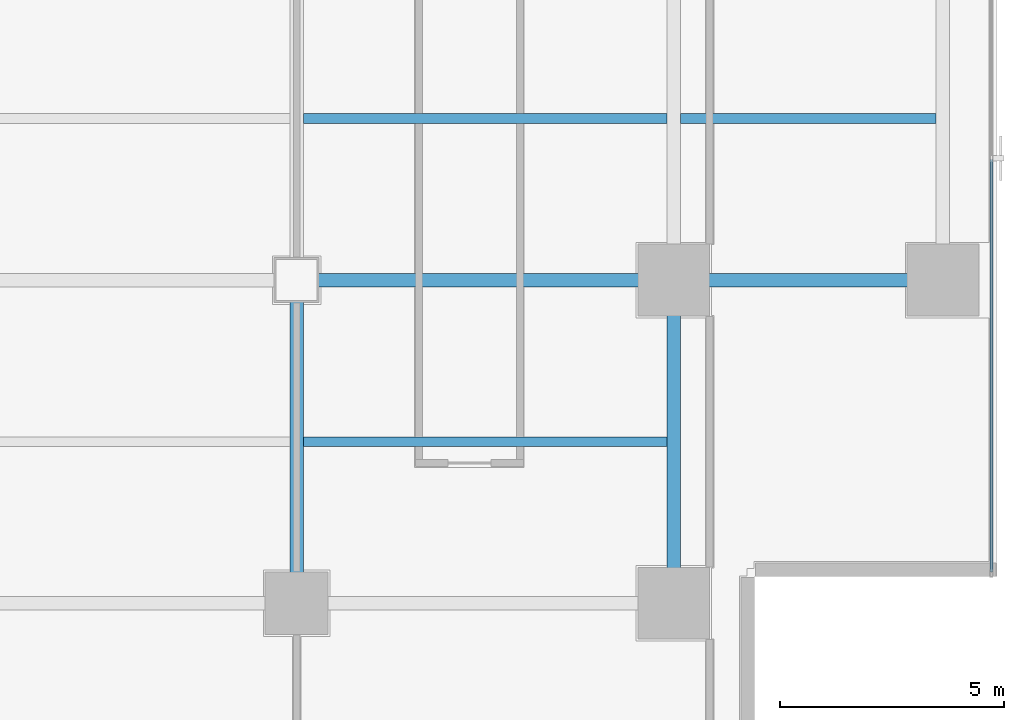
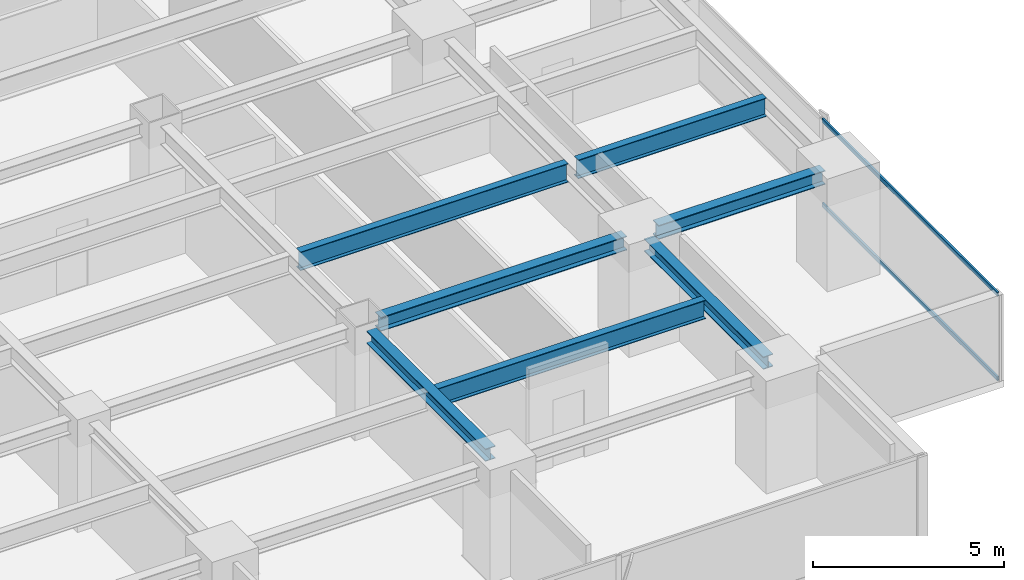
# One storey, part 10 of 28: 7 beams, 2 members, 1 element without a shape of its own.
"""IFC4 building model written with IfcOpenShell, lengths in metres."""

from ifc_helpers import new_model, si_unit, direction, frame, origin, origin_2d, place, context, subcontext, project, spatial, hollow_rectangle, i_section, extrude, source, transform, mapped, material, layer, layer_set, material_profile, profile_set, type_object, element, aggregate, save


model = new_model("IFC4")

# Units and contexts
model_context = context("Model", 3, precision=1e-05, world=origin(), true_north=direction((0.0, 1.0)))
body_context = subcontext(model_context, "Body", "Model", "MODEL_VIEW")
ifc_project = project(units=[si_unit("LENGTHUNIT", "METRE"), si_unit("AREAUNIT", "SQUARE_METRE"), si_unit("VOLUMEUNIT", "CUBIC_METRE"), si_unit("PLANEANGLEUNIT", "RADIAN"), si_unit("MASSUNIT", "GRAM", prefix="KILO")], contexts=[model_context])

# Site, building, storey
site_placement = place(None, origin())
site = spatial("IfcSite", under=ifc_project, at=site_placement, CompositionType="ELEMENT")
building_placement = place(site_placement, origin())
building = spatial("IfcBuilding", under=site, at=building_placement, Name="Sumidabori Civic Tower", CompositionType="ELEMENT")
storey_placement = place(building_placement, frame((0.0, 0.0, 153.199951171875)))
storey = spatial("IfcBuildingStorey", under=building, at=storey_placement, Name="L39", CompositionType="ELEMENT", Elevation=153.199951171875)

# Beams
ifc_material_1 = material(Name="Steel SN490", Category="steel")
ifc_material_profile_1 = material_profile(ifc_material_1, i_section(OverallWidth=0.300048828125, OverallDepth=0.39990234375, WebThickness=0.013427734375, FlangeThickness=0.02392578125, at=origin_2d()), Name="HE 400 B")
ifc_profile_set_1 = profile_set([ifc_material_profile_1], Name="Steel SN490")
beam_type_1 = type_object("IfcBeamType", Name="BM-GIRD-400", PredefinedType="BEAM", material=ifc_profile_set_1)
shared_shape_1 = source(origin(), body_context, "Body", "SweptSolid", [
    extrude(i_section(OverallWidth=0.300048828125, OverallDepth=0.39990234375, WebThickness=0.013427734375, FlangeThickness=0.02392578125, at=origin_2d()), origin(), (0.0, 0.0, 1.0), 6.239990234375),
])
for number, where, z_axis, x_axis, name in (
    (1, (8.39990234375, -17.52001953125, 3.179931640625), (0.0, 1.0, 0.0), (-1.0, 0.0, 0.0), "Primary Girder L39 GY-30"),
    (2, (16.800048828125, -17.52001953125, 3.179931640625), (0.0, 1.0, 0.0), (-1.0, 0.0, 0.0), "Primary Girder L39 GY-32"),
):
    element("IfcBeam", number, at=place(storey_placement, frame(where, z_axis=z_axis, x_axis=x_axis)), inside=storey, type_object=beam_type_1, Name=name, PredefinedType="BEAM", context=body_context, shape_type="MappedRepresentation", body=[
        mapped(shared_shape_1, transform((0.0, 0.0, 0.0), x_axis=(1.0, 0.0, 0.0), y_axis=(0.0, 1.0, 0.0), z_axis=(0.0, 0.0, 1.0), scale=1.0)),
    ])
ifc_material_profile_2 = material_profile(ifc_material_1, i_section(OverallWidth=0.219970703125, OverallDepth=0.60009765625, WebThickness=0.011962890625, FlangeThickness=0.01904296875, at=origin_2d()), Name="IPE 600")
ifc_profile_set_2 = profile_set([ifc_material_profile_2], Name="Steel SN490")
beam_type_2 = type_object("IfcBeamType", Name="BM-JST-600", PredefinedType="JOIST", material=ifc_profile_set_2)
shared_shape_2 = source(origin(), body_context, "Body", "SweptSolid", [
    extrude(i_section(OverallWidth=0.219970703125, OverallDepth=0.60009765625, WebThickness=0.011962890625, FlangeThickness=0.01904296875, at=origin_2d()), origin(), (0.0, 0.0, 1.0), 5.699951171875),
])
beam_1_placement = place(storey_placement, frame((16.949951171875, -7.199951171875, 3.080078125), z_axis=(1.0, 0.0, 0.0), x_axis=(0.0, 1.0, 0.0)))
element("IfcBeam", 3, at=beam_1_placement, inside=storey, type_object=beam_type_2, Name="Outer Bay Floor Joist L39 JSTO-40", PredefinedType="JOIST", context=body_context, shape_type="MappedRepresentation", body=[
    mapped(shared_shape_2, transform((0.0, 0.0, 0.0), x_axis=(1.0, 0.0, 0.0), y_axis=(0.0, 1.0, 0.0), z_axis=(0.0, 0.0, 1.0), scale=1.0)),
])
shared_shape_3 = source(origin(), body_context, "Body", "SweptSolid", [
    extrude(i_section(OverallWidth=0.219970703125, OverallDepth=0.60009765625, WebThickness=0.011962890625, FlangeThickness=0.01904296875, at=origin_2d()), origin(), (0.0, 0.0, 1.0), 8.099853515625),
])
for number, where, z_axis, x_axis, name in (
    (4, (8.550048828125, -14.39990234375, 3.080078125), (1.0, 0.0, 0.0), (0.0, 1.0, 0.0), "South Bay Floor Joist L39 JSTS-52"),
    (5, (8.550048828125, -7.199951171875, 3.080078125), (1.0, 0.0, 0.0), (0.0, 1.0, 0.0), "South Bay Floor Joist L39 JSTS-56"),
):
    element("IfcBeam", number, at=place(storey_placement, frame(where, z_axis=z_axis, x_axis=x_axis)), inside=storey, type_object=beam_type_2, Name=name, PredefinedType="JOIST", context=body_context, shape_type="MappedRepresentation", body=[
        mapped(shared_shape_3, transform((0.0, 0.0, 0.0), x_axis=(1.0, 0.0, 0.0), y_axis=(0.0, 1.0, 0.0), z_axis=(0.0, 0.0, 1.0), scale=1.0)),
    ])
ifc_material_profile_3 = material_profile(ifc_material_1, i_section(OverallWidth=0.300048828125, OverallDepth=0.449951171875, WebThickness=0.013916015625, FlangeThickness=0.02587890625, at=origin_2d()), Name="HE 450 B")
ifc_profile_set_3 = profile_set([ifc_material_profile_3], Name="Steel SN490")
beam_type_3 = type_object("IfcBeamType", Name="BM-GIRD-450", PredefinedType="BEAM", material=ifc_profile_set_3)
shared_shape_4 = source(origin(), body_context, "Body", "SweptSolid", [
    extrude(i_section(OverallWidth=0.300048828125, OverallDepth=0.449951171875, WebThickness=0.013916015625, FlangeThickness=0.02587890625, at=origin_2d()), origin(), (0.0, 0.0, 1.0), 7.440185546875),
])
beam_2_placement = place(storey_placement, frame((8.8798828125, -10.800048828125, 3.155029296875), z_axis=(1.0, 0.0, 0.0), x_axis=(0.0, 1.0, 0.0)))
element("IfcBeam", 6, at=beam_2_placement, inside=storey, type_object=beam_type_3, Name="Primary Girder L39 GX-09", PredefinedType="BEAM", context=body_context, shape_type="MappedRepresentation", body=[
    mapped(shared_shape_4, transform((0.0, 0.0, 0.0), x_axis=(1.0, 0.0, 0.0), y_axis=(0.0, 1.0, 0.0), z_axis=(0.0, 0.0, 1.0), scale=1.0)),
])
shared_shape_5 = source(origin(), body_context, "Body", "SweptSolid", [
    extrude(i_section(OverallWidth=0.300048828125, OverallDepth=0.449951171875, WebThickness=0.013916015625, FlangeThickness=0.02587890625, at=origin_2d()), origin(), (0.0, 0.0, 1.0), 5.0400390625),
])
beam_3_placement = place(storey_placement, frame((17.280029296875, -10.800048828125, 3.155029296875), z_axis=(1.0, 0.0, 0.0), x_axis=(0.0, 1.0, 0.0)))
element("IfcBeam", 7, at=beam_3_placement, inside=storey, type_object=beam_type_3, Name="Primary Girder L39 GX-10", PredefinedType="BEAM", context=body_context, shape_type="MappedRepresentation", body=[
    mapped(shared_shape_5, transform((0.0, 0.0, 0.0), x_axis=(1.0, 0.0, 0.0), y_axis=(0.0, 1.0, 0.0), z_axis=(0.0, 0.0, 1.0), scale=1.0)),
])

# Curtain wall, members
ifc_material_2 = material(Name="Anodised Bronze Aluminium AW-6063-T6", Category="aluminium")
ifc_layer = layer(ifc_material_2, 0.179931640625, Name="Anodised Bronze Aluminium AW-6063-T6")
ifc_layer_set = layer_set([ifc_layer], Name="Anodised Bronze Aluminium AW-6063-T6")
curtain_wall_type = type_object("IfcCurtainWallType", Name="CW-SYS-3", PredefinedType="NOTDEFINED", material=ifc_layer_set)
curtain_wall_placement = place(storey_placement, origin())
curtain_wall = element("IfcCurtainWall", 8, at=curtain_wall_placement, inside=storey, type_object=curtain_wall_type, Name="Curtain Wall CW:L39:R04", PredefinedType="NOTDEFINED")
ifc_material_profile_4 = material_profile(ifc_material_2, hollow_rectangle(XDim=0.06005859375, YDim=0.1298828125, WallThickness=0.0048828125, at=origin_2d()), Name="ALU TRANSOM 130x60")
ifc_profile_set_4 = profile_set([ifc_material_profile_4], Name="Anodised Bronze Aluminium AW-6063-T6")
member_type = type_object("IfcMemberType", Name="CW-TRN-130", PredefinedType="USERDEFINED", material=ifc_profile_set_4)
shared_shape_6 = source(origin(), body_context, "Body", "SweptSolid", [
    extrude(hollow_rectangle(XDim=0.06005859375, YDim=0.1298828125, WallThickness=0.0048828125, at=origin_2d()), origin(), (0.0, 0.0, 1.0), 9.1875),
])
member_1_placement = place(storey_placement, frame((23.8798828125, -17.304931640625, 0.030029296875), z_axis=(0.0, 1.0, 0.0), x_axis=(-1.0, 0.0, 0.0)))
member_1 = element("IfcMember", 9, at=member_1_placement, type_object=member_type, Name="CW-3 transom 1.1", ObjectType="TRANSOM", PredefinedType="USERDEFINED", context=body_context, shape_type="MappedRepresentation", body=[
    mapped(shared_shape_6, transform((0.0, 0.0, 0.0), x_axis=(1.0, 0.0, 0.0), y_axis=(0.0, 1.0, 0.0), z_axis=(0.0, 0.0, 1.0), scale=1.0)),
])
member_2_placement = place(storey_placement, frame((23.8798828125, -17.304931640625, 2.72998046875), z_axis=(0.0, 1.0, 0.0), x_axis=(-1.0, 0.0, 0.0)))
member_2 = element("IfcMember", 10, at=member_2_placement, type_object=member_type, Name="CW-3 transom 1.2", ObjectType="TRANSOM", PredefinedType="USERDEFINED", context=body_context, shape_type="MappedRepresentation", body=[
    mapped(shared_shape_6, transform((0.0, 0.0, 0.0), x_axis=(1.0, 0.0, 0.0), y_axis=(0.0, 1.0, 0.0), z_axis=(0.0, 0.0, 1.0), scale=1.0)),
])
aggregate(curtain_wall, [member_1, member_2])

save(model, "model.ifc")
